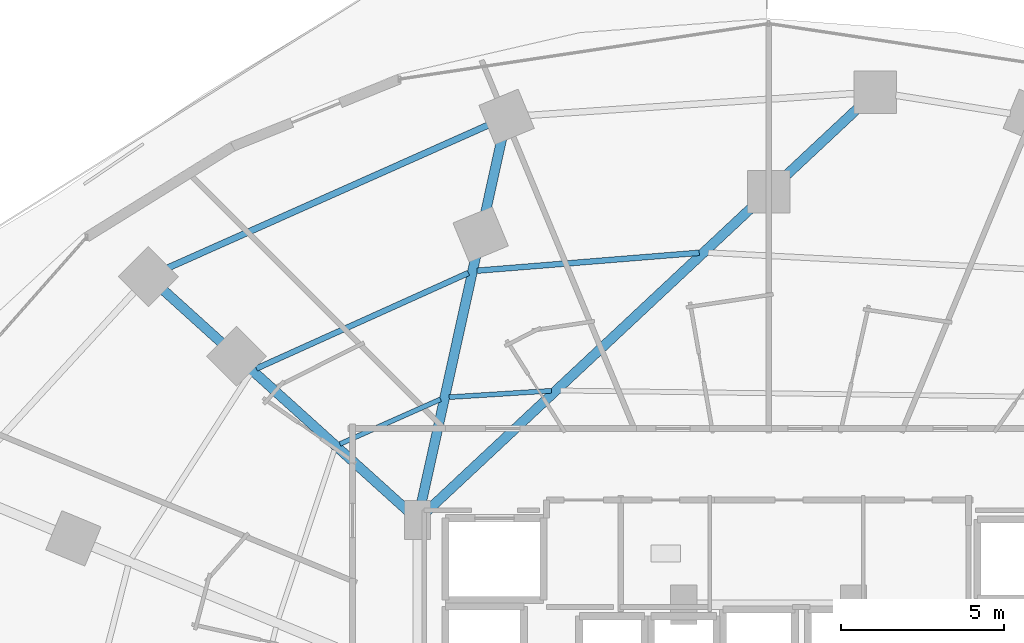
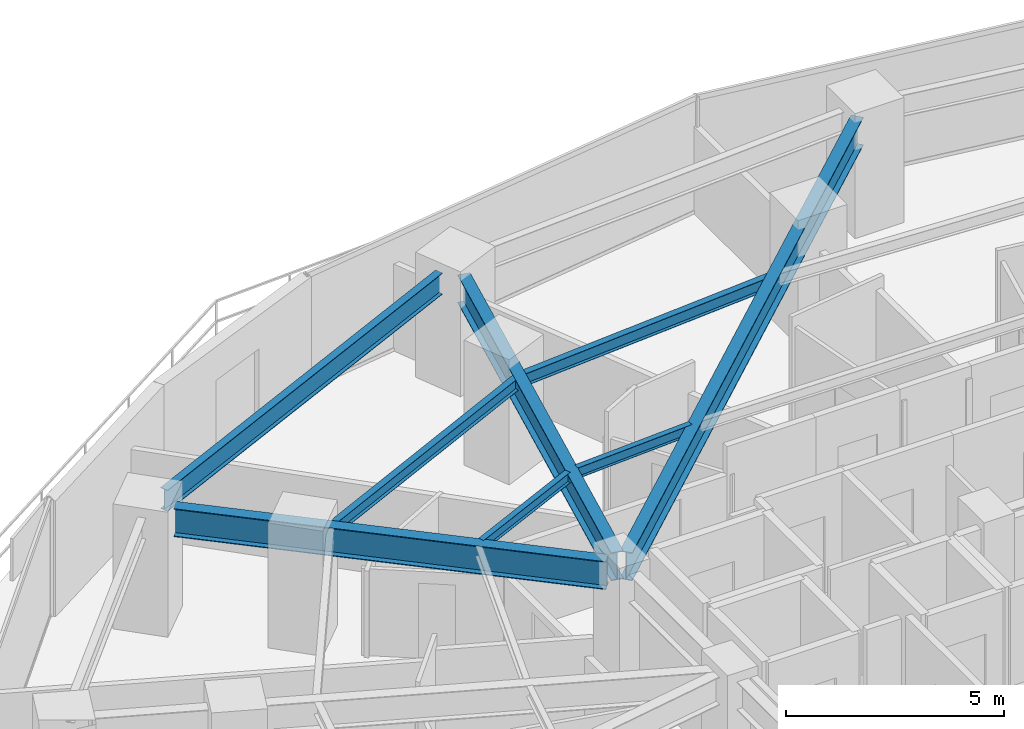
# One storey, part 20 of 34: 8 beams.
"""IFC4 building model written with IfcOpenShell, lengths in metres."""

from ifc_helpers import new_model, si_unit, direction, frame, origin, origin_2d, place, context, subcontext, project, spatial, i_section, extrude, material, material_profile, profile_set, type_object, element, save


model = new_model("IFC4")

# Units and contexts
model_context = context("Model", 3, precision=1e-05, world=origin(), true_north=direction((0.0, 1.0)))
body_context = subcontext(model_context, "Body", "Model", "MODEL_VIEW")
ifc_project = project(units=[si_unit("LENGTHUNIT", "METRE"), si_unit("AREAUNIT", "SQUARE_METRE"), si_unit("VOLUMEUNIT", "CUBIC_METRE"), si_unit("PLANEANGLEUNIT", "RADIAN"), si_unit("MASSUNIT", "GRAM", prefix="KILO")], contexts=[model_context])

# Site, building, storey
site_placement = place(None, origin())
site = spatial("IfcSite", under=ifc_project, at=site_placement, CompositionType="ELEMENT")
building_placement = place(site_placement, origin())
building = spatial("IfcBuilding", under=site, at=building_placement, Name="Vorneva Point Tower", CompositionType="ELEMENT")
storey_placement = place(building_placement, frame((0.0, 0.0, 31.0)))
storey = spatial("IfcBuildingStorey", under=building, at=storey_placement, Name="L07", CompositionType="ELEMENT", Elevation=31.0)

# Beams
ifc_material = material(Name="Steel S355", Category="steel")
ifc_material_profile_1 = material_profile(ifc_material, i_section(OverallWidth=0.300048828125, OverallDepth=0.7880859375, WebThickness=0.014404296875, FlangeThickness=0.02197265625, at=origin_2d()), Name="80Sh1")
ifc_profile_set_1 = profile_set([ifc_material_profile_1], Name="Steel S355")
beam_type_1 = type_object("IfcBeamType", Name="BM-GRD-80Sh1", PredefinedType="USERDEFINED", material=ifc_profile_set_1)
beam_1_placement = place(storey_placement, frame((40.799072265625, 45.81689453125, 2.845947265625), z_axis=(-0.730486513498, -0.682927121732, 0.0), x_axis=(0.682927121732, -0.730486513498, 0.0)))
element("IfcBeam", 1, at=beam_1_placement, inside=storey, type_object=beam_type_1, Name="L07 Radial Primary Girder 05", ObjectType="GIRDER", PredefinedType="USERDEFINED", context=body_context, shape_type="SweptSolid", body=[
    extrude(i_section(OverallWidth=0.300048828125, OverallDepth=0.7880859375, WebThickness=0.014404296875, FlangeThickness=0.02197265625, at=origin_2d()), origin(), (0.0, 0.0, 1.0), 18.2080078125),
])
beam_2_placement = place(storey_placement, frame((29.836181640625, 44.86865234375, 2.845947265625), z_axis=(-0.215504784711, -0.976502784311, 0.0), x_axis=(0.976502784311, -0.215504784711, 0.0)))
element("IfcBeam", 2, at=beam_2_placement, inside=storey, type_object=beam_type_1, Name="L07 Radial Primary Girder 06", ObjectType="GIRDER", PredefinedType="USERDEFINED", context=body_context, shape_type="SweptSolid", body=[
    extrude(i_section(OverallWidth=0.300048828125, OverallDepth=0.7880859375, WebThickness=0.014404296875, FlangeThickness=0.02197265625, at=origin_2d()), origin(), (0.0, 0.0, 1.0), 11.66064453125),
])
beam_3_placement = place(storey_placement, frame((19.47607421875, 40.172119140625, 2.845947265625), z_axis=(0.742084477445, -0.67030636901, 0.0), x_axis=(0.67030636901, 0.742084477445, 0.0)))
element("IfcBeam", 3, at=beam_3_placement, inside=storey, type_object=beam_type_1, Name="L07 Radial Primary Girder 07", ObjectType="GIRDER", PredefinedType="USERDEFINED", context=body_context, shape_type="SweptSolid", body=[
    extrude(i_section(OverallWidth=0.300048828125, OverallDepth=0.7880859375, WebThickness=0.014404296875, FlangeThickness=0.02197265625, at=origin_2d()), origin(), (0.0, 0.0, 1.0), 10.135986328125),
])
ifc_material_profile_2 = material_profile(ifc_material, i_section(OverallWidth=0.14892578125, OverallDepth=0.298095703125, WebThickness=0.005615234375, FlangeThickness=0.008056640625, at=origin_2d()), Name="30B1")
ifc_profile_set_2 = profile_set([ifc_material_profile_2], Name="Steel S355")
beam_type_2 = type_object("IfcBeamType", Name="BM-JST-30B1", PredefinedType="JOIST", material=ifc_profile_set_2)
beam_4_placement = place(storey_placement, frame((31.350830078125, 37.10400390625, 3.091064453125), z_axis=(-0.998022533486, -0.062857160731, 0.0), x_axis=(0.062857160731, -0.998022533486, 0.0)))
element("IfcBeam", 4, at=beam_4_placement, inside=storey, type_object=beam_type_2, Name="L07 Secondary Floor Beam 2.05", PredefinedType="JOIST", context=body_context, shape_type="SweptSolid", body=[
    extrude(i_section(OverallWidth=0.14892578125, OverallDepth=0.298095703125, WebThickness=0.005615234375, FlangeThickness=0.008056640625, at=origin_2d()), origin(), (0.0, 0.0, 1.0), 3.14208984375),
])
beam_5_placement = place(storey_placement, frame((27.951171875, 36.842041015625, 3.091064453125), z_axis=(-0.913898046964, -0.40594378891, 0.0), x_axis=(0.40594378891, -0.913898046964, 0.0)))
element("IfcBeam", 5, at=beam_5_placement, inside=storey, type_object=beam_type_2, Name="L07 Secondary Floor Beam 2.06", PredefinedType="JOIST", context=body_context, shape_type="SweptSolid", body=[
    extrude(i_section(OverallWidth=0.14892578125, OverallDepth=0.298095703125, WebThickness=0.005615234375, FlangeThickness=0.008056640625, at=origin_2d()), origin(), (0.0, 0.0, 1.0), 3.37451171875),
])
ifc_material_profile_3 = material_profile(ifc_material, i_section(OverallWidth=0.174072265625, OverallDepth=0.345947265625, WebThickness=0.006103515625, FlangeThickness=0.009033203125, at=origin_2d()), Name="35B1")
ifc_profile_set_3 = profile_set([ifc_material_profile_3], Name="Steel S355")
beam_type_3 = type_object("IfcBeamType", Name="BM-SEC-35B1", PredefinedType="BEAM", material=ifc_profile_set_3)
beam_6_placement = place(storey_placement, frame((35.873291015625, 41.329345703125, 3.06689453125), z_axis=(-0.996762753191, -0.080399091108, 0.0), x_axis=(0.080399091108, -0.996762753191, 0.0)))
element("IfcBeam", 6, at=beam_6_placement, inside=storey, type_object=beam_type_3, Name="L07 Secondary Floor Beam 1.05", PredefinedType="BEAM", context=body_context, shape_type="SweptSolid", body=[
    extrude(i_section(OverallWidth=0.174072265625, OverallDepth=0.345947265625, WebThickness=0.006103515625, FlangeThickness=0.009033203125, at=origin_2d()), origin(), (0.0, 0.0, 1.0), 6.826416015625),
])
beam_7_placement = place(storey_placement, frame((28.805908203125, 40.712646484375, 3.06689453125), z_axis=(-0.911588519067, -0.411103845646, 0.0), x_axis=(0.411103845646, -0.911588519067, 0.0)))
element("IfcBeam", 7, at=beam_7_placement, inside=storey, type_object=beam_type_3, Name="L07 Secondary Floor Beam 1.06", PredefinedType="BEAM", context=body_context, shape_type="SweptSolid", body=[
    extrude(i_section(OverallWidth=0.174072265625, OverallDepth=0.345947265625, WebThickness=0.006103515625, FlangeThickness=0.009033203125, at=origin_2d()), origin(), (0.0, 0.0, 1.0), 7.12646484375),
])
ifc_material_profile_4 = material_profile(ifc_material, i_section(OverallWidth=0.198974609375, OverallDepth=0.595947265625, WebThickness=0.010009765625, FlangeThickness=0.014892578125, at=origin_2d()), Name="60B1")
ifc_profile_set_4 = profile_set([ifc_material_profile_4], Name="Steel S355")
beam_type_4 = type_object("IfcBeamType", Name="BM-SPN-60B1", PredefinedType="SPANDREL", material=ifc_profile_set_4)
beam_8_placement = place(storey_placement, frame((29.393798828125, 45.23291015625, 2.94189453125), z_axis=(-0.913329187558, -0.407222046499, 0.0), x_axis=(0.407222046499, -0.913329187558, 0.0)))
element("IfcBeam", 8, at=beam_8_placement, inside=storey, type_object=beam_type_4, Name="L07 Perimeter Spandrel Ring Beam 06", PredefinedType="SPANDREL", context=body_context, shape_type="SweptSolid", body=[
    extrude(i_section(OverallWidth=0.198974609375, OverallDepth=0.595947265625, WebThickness=0.010009765625, FlangeThickness=0.014892578125, at=origin_2d()), origin(), (0.0, 0.0, 1.0), 10.742431640625),
])

save(model, "model.ifc")
